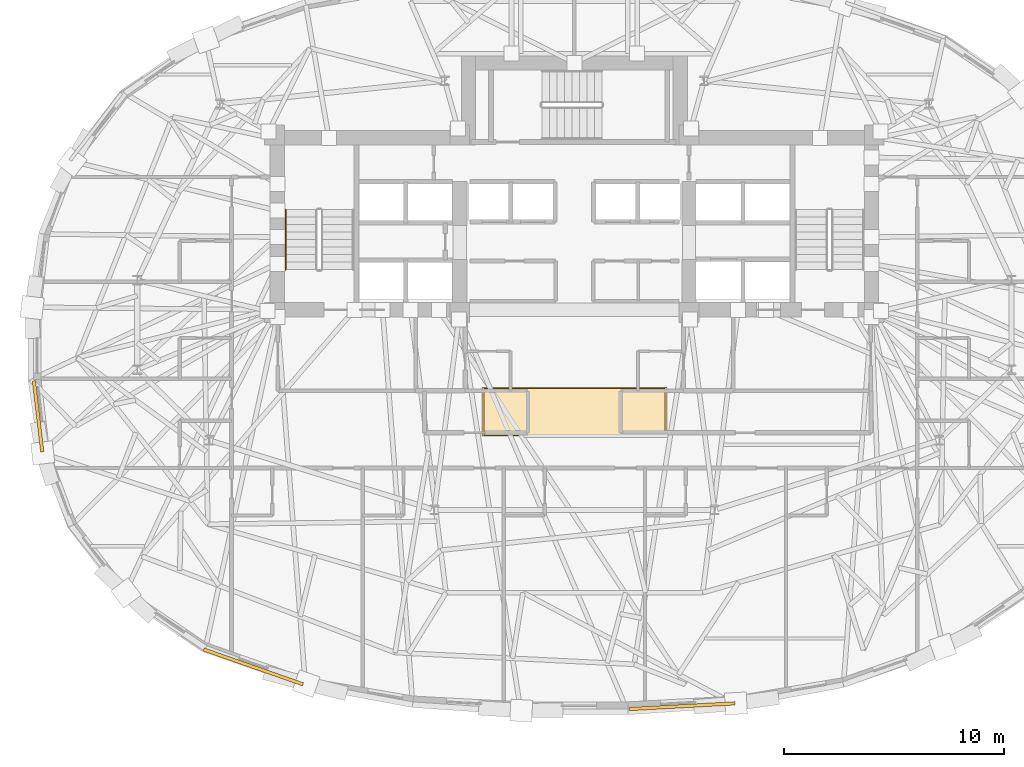
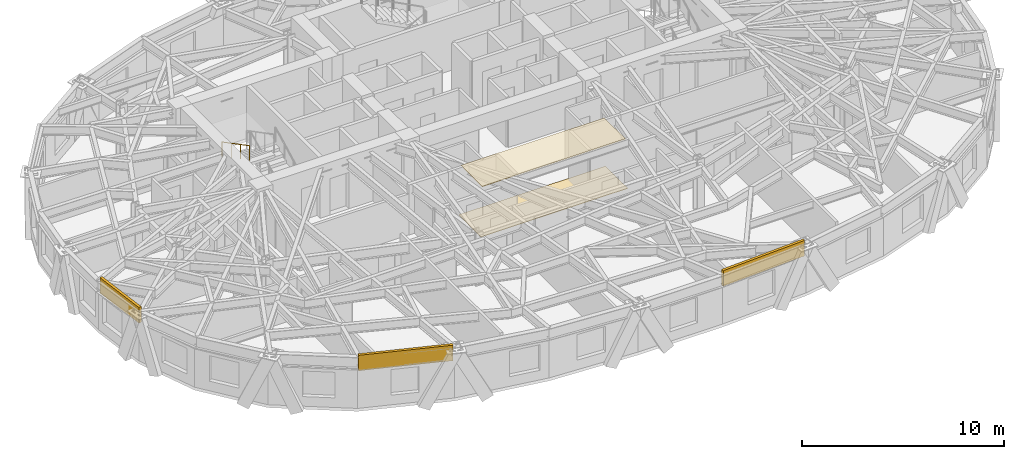
# One storey, part 12 of 15: 5 coverings, 1 railing.
"""IFC4 building model written with IfcOpenShell, lengths in metres."""

from ifc_helpers import new_model, si_unit, direction, frame, origin, origin_2d, place, context, subcontext, project, spatial, rectangle, circle, extrude, material, layer, layer_set, type_object, element, save


model = new_model("IFC4")

# Units and contexts
model_context = context("Model", 3, precision=1e-05, world=origin(), true_north=direction((0.0, 1.0)))
body_context = subcontext(model_context, "Body", "Model", "MODEL_VIEW")
ifc_project = project(units=[si_unit("LENGTHUNIT", "METRE"), si_unit("AREAUNIT", "SQUARE_METRE"), si_unit("VOLUMEUNIT", "CUBIC_METRE"), si_unit("PLANEANGLEUNIT", "RADIAN"), si_unit("MASSUNIT", "GRAM", prefix="KILO")], contexts=[model_context])

# Site, building, storey
site_placement = place(None, origin())
site = spatial("IfcSite", under=ifc_project, at=site_placement, CompositionType="ELEMENT")
building_placement = place(site_placement, origin())
building = spatial("IfcBuilding", under=site, at=building_placement, Name="Keldmark Tower", CompositionType="ELEMENT")
storey_placement = place(building_placement, frame((0.0, 0.0, 143.800048828125)))
storey = spatial("IfcBuildingStorey", under=building, at=storey_placement, Name="L38", CompositionType="ELEMENT", Elevation=143.800048828125)

# Coverings
ifc_material_1 = material(Name="FSC-Certified Quarter-Sawn White Oak", Category="wood")
ifc_layer_1 = layer(ifc_material_1, 0.02197265625)
ifc_layer_set_1 = layer_set([ifc_layer_1], Name="FSC-Certified Quarter-Sawn White Oak")
covering_type_1 = type_object("IfcCoveringType", Name="Engineered White Oak Residence Flooring 22 mm", PredefinedType="FLOORING", material=ifc_layer_set_1)
covering_1_placement = place(storey_placement, frame((0.0, -3.10009765625, 0.0), z_axis=(0.0, 0.0, 1.0), x_axis=(1.0, 0.0, 0.0)))
element("IfcCovering", 1, at=covering_1_placement, inside=storey, type_object=covering_type_1, Name="L38 Lift Lobby Finish Flooring", PredefinedType="FLOORING", context=body_context, shape_type="SweptSolid", body=[
    extrude(rectangle(XDim=8.39990234375, YDim=2.199951171875, at=origin_2d()), origin(), (0.0, 0.0, 1.0), 0.030029296875),
])
ifc_material_2 = material(Name="Honed Kasota Buff Dolomitic Limestone", Category="masonry")
ifc_layer_2 = layer(ifc_material_2, 0.074951171875)
ifc_layer_set_2 = layer_set([ifc_layer_2], Name="Honed Kasota Buff Dolomitic Limestone")
covering_type_2 = type_object("IfcCoveringType", Name="Kasota Buff Limestone Spandrel Cladding Band", PredefinedType="CLADDING", material=ifc_layer_set_2)
covering_2_placement = place(storey_placement, frame((-24.326171875, -3.30126953125, 2.239013671875), z_axis=(0.0, 0.0, 1.0), x_axis=(0.116601400424, -0.993178792272, 0.0)))
element("IfcCovering", 2, at=covering_2_placement, inside=storey, type_object=covering_type_2, Name="L38 Kasota Limestone Spandrel Band 17", PredefinedType="CLADDING", context=body_context, shape_type="SweptSolid", body=[
    extrude(rectangle(XDim=3.242431640625, YDim=0.14990234375, at=origin_2d()), origin(), (0.0, 0.0, 1.0), 0.94091796875),
])
covering_3_placement = place(storey_placement, frame((-14.561279296875, -14.669921875, 2.239013671875), z_axis=(0.0, 0.0, 1.0), x_axis=(0.943541075121, -0.331255550232, 0.0)))
element("IfcCovering", 3, at=covering_3_placement, inside=storey, type_object=covering_type_2, Name="L38 Kasota Limestone Spandrel Band 21", PredefinedType="CLADDING", context=body_context, shape_type="SweptSolid", body=[
    extrude(rectangle(XDim=4.773193359375, YDim=0.14990234375, at=origin_2d()), origin(), (0.0, 0.0, 1.0), 0.94091796875),
])
covering_4_placement = place(storey_placement, frame((4.883544921875, -16.452880859375, 2.239013671875), z_axis=(0.0, 0.0, 1.0), x_axis=(0.998548914717, 0.053852250811, 0.0)))
element("IfcCovering", 4, at=covering_4_placement, inside=storey, type_object=covering_type_2, Name="L38 Kasota Limestone Spandrel Band 25", PredefinedType="CLADDING", context=body_context, shape_type="SweptSolid", body=[
    extrude(rectangle(XDim=4.814208984375, YDim=0.14990234375, at=origin_2d()), origin(), (0.0, 0.0, 1.0), 0.94091796875),
])

# Railing
ifc_material_3 = material(Name="Stainless Steel AISI 316L", Category="steel")
railing_type = type_object("IfcRailingType", Name="Stainless Steel Stair Handrail 900 mm", PredefinedType="HANDRAIL", material=ifc_material_3)
railing_placement = place(storey_placement, frame((-13.10009765625, 6.070068359375, 1.77783203125)))
element("IfcRailing", 5, at=railing_placement, inside=storey, type_object=railing_type, Name="L38 ST1 stair handrail 2", PredefinedType="HANDRAIL", context=body_context, shape_type="SweptSolid", body=[
    extrude(circle(Radius=0.02392578125, at=origin_2d()), frame((0.0, 0.0, 0.8759765625), z_axis=(0.0, -0.886183135912, 0.463335137482), x_axis=(1.0, 0.0, 0.0)), (0.0, 0.0, 1.0), 3.0693359375),
    extrude(circle(Radius=0.02099609375, at=origin_2d()), origin(), (0.0, 0.0, 1.0), 0.851806640625),
    extrude(circle(Radius=0.02099609375, at=origin_2d()), frame((0.0, -0.90673828125, 0.47412109375)), (0.0, 0.0, 1.0), 0.851806640625),
    extrude(circle(Radius=0.02099609375, at=origin_2d()), frame((0.0, -1.813232421875, 0.947998046875)), (0.0, 0.0, 1.0), 0.851806640625),
    extrude(circle(Radius=0.02099609375, at=origin_2d()), frame((0.0, -2.719970703125, 1.422119140625)), (0.0, 0.0, 1.0), 0.851806640625),
])

# Covering
ifc_material_4 = material(Name="Perforated Acoustic Gypsum and Recycled Mineral Wool", Category="gypsum")
ifc_layer_3 = layer(ifc_material_4, 0.044921875)
ifc_layer_set_3 = layer_set([ifc_layer_3], Name="Perforated Acoustic Gypsum and Recycled Mineral Wool")
covering_type_3 = type_object("IfcCoveringType", Name="Suspended Acoustic Mineral-Fiber Ceiling 45 mm", PredefinedType="CEILING", material=ifc_layer_set_3)
covering_5_placement = place(storey_placement, frame((0.0, -3.10009765625, 2.97509765625), z_axis=(0.0, 0.0, 1.0), x_axis=(1.0, 0.0, 0.0)))
element("IfcCovering", 6, at=covering_5_placement, inside=storey, type_object=covering_type_3, Name="L38 Lift Lobby Acoustic Ceiling", PredefinedType="CEILING", context=body_context, shape_type="SweptSolid", body=[
    extrude(rectangle(XDim=8.199951171875, YDim=2.10009765625, at=origin_2d()), origin(), (0.0, 0.0, 1.0), 0.044921875),
])

save(model, "model.ifc")
